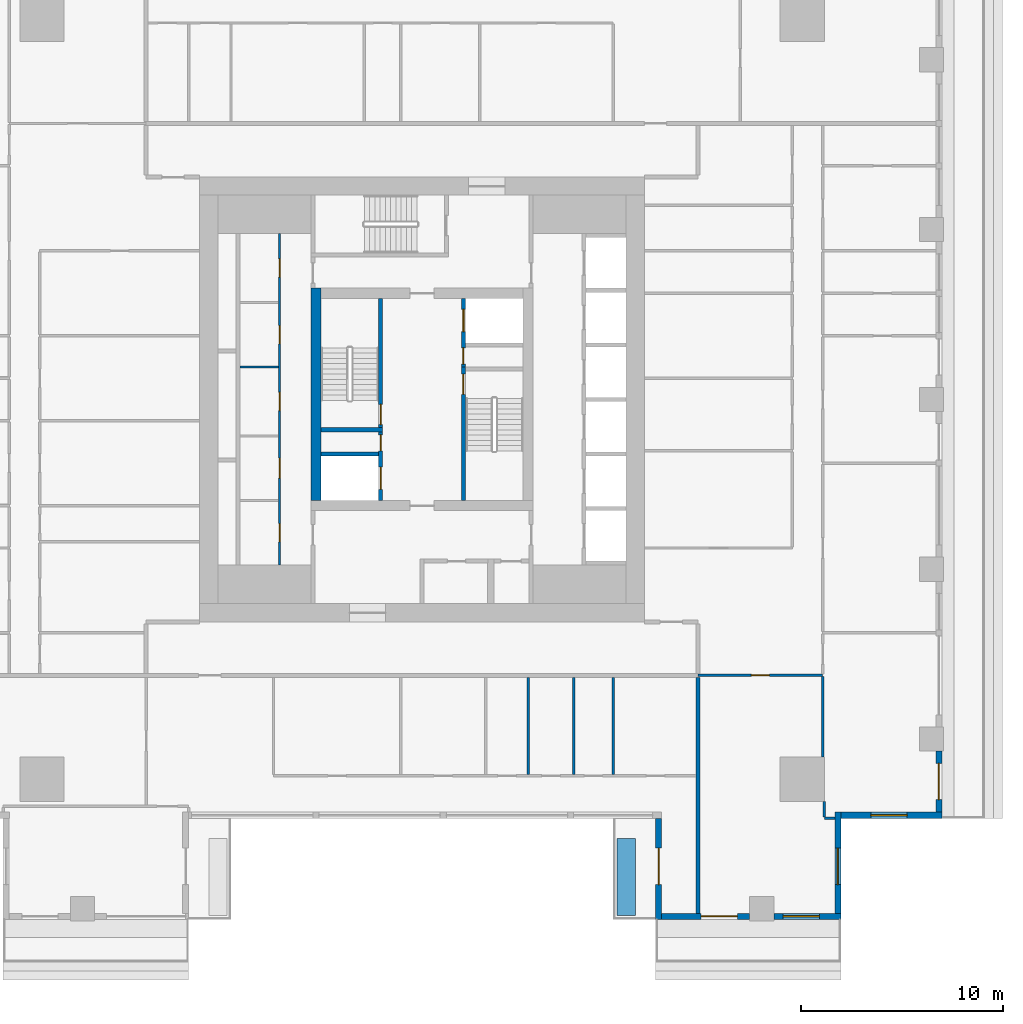
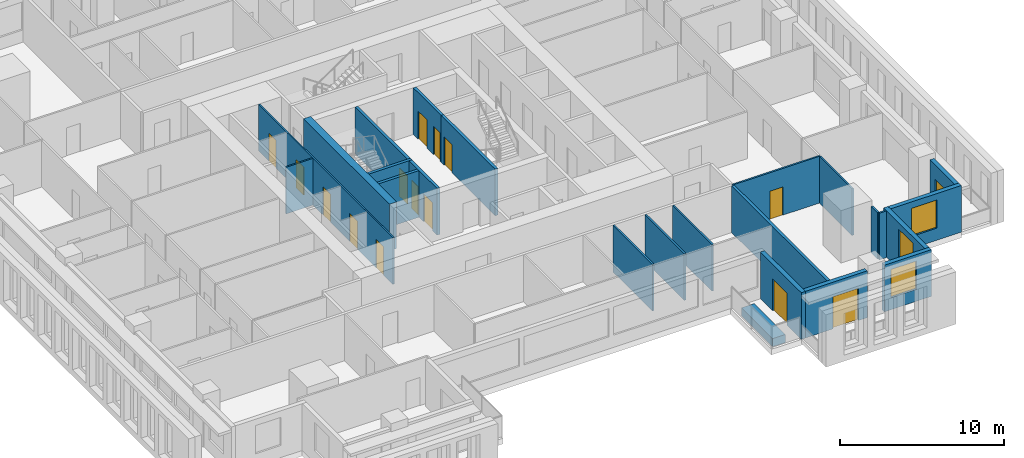
# One storey, part 4 of 14: 24 walls, 15 doors, 3 windows, 18 openings.
"""IFC4 building model written with IfcOpenShell, lengths in metres."""

import ifcopenshell
import ifcopenshell.guid

model = None  # the IFC model being written
_history = None  # IfcOwnerHistory: only IFC2X3 demands one
_inside = {}  # id of a spatial element -> (the spatial element, [elements in it])
_under = {}  # id of a project, library or spatial element -> (it, [spatial elements below it])
_declared = {}  # id of a project -> (the project, [libraries it declares])
_typed = {}  # id of a type object -> (the type object, [elements of that type])
_made_of = {}  # id of a material, layer set ... -> (it, [elements and type objects made of it])


def new_model(schema):
    """Start an empty IFC model of exactly this schema.

    Asked for "IFC4X3", IfcOpenShell would pick the latest addendum, in which some entities
    have other attributes; the version numbers below select the first issue.
    IFC2X3 requires an IfcOwnerHistory on every rooted entity: one is made here for all.
    """
    global model, _history
    if schema == "IFC4X3":
        model = ifcopenshell.file(schema_version=(4, 3, 0, 0))
    else:
        model = ifcopenshell.file(schema=schema)
    _inside.clear()
    _under.clear()
    _declared.clear()
    _typed.clear()
    _made_of.clear()
    _history = None
    if model.schema == "IFC2X3":
        org = make("IfcOrganization", Name="unknown")
        user = make(
            "IfcPersonAndOrganization",
            ThePerson=make("IfcPerson", FamilyName="unknown"),
            TheOrganization=org,
        )
        app = make(
            "IfcApplication",
            ApplicationDeveloper=org,
            Version="unknown",
            ApplicationFullName="unknown",
            ApplicationIdentifier="unknown",
        )
        _history = make(
            "IfcOwnerHistory",
            OwningUser=user,
            OwningApplication=app,
            ChangeAction="ADDED",
            CreationDate=0,
        )
    return model


def make(cls, **values):
    """One entity of the class cls with the attributes given. An attribute that is None is left unset."""
    return model.create_entity(
        cls, **{name: value for name, value in values.items() if value is not None}
    )


def rooted(cls, **values):
    """An entity with a GlobalId (a new one), such as an element, a storey or a relation."""
    return make(cls, GlobalId=ifcopenshell.guid.new(), OwnerHistory=_history, **values)


def si_unit(unit_type, name, prefix=None):
    """IfcSIUnit, for example si_unit("LENGTHUNIT", "METRE", prefix="MILLI")."""
    return make("IfcSIUnit", UnitType=unit_type, Prefix=prefix, Name=name)


def assignment(units):
    """IfcUnitAssignment: the units of a project."""
    return None if units is None else make("IfcUnitAssignment", Units=units)


def point(xyz):
    """IfcCartesianPoint."""
    return None if xyz is None else make("IfcCartesianPoint", Coordinates=xyz)


def direction(xyz):
    """IfcDirection."""
    return None if xyz is None else make("IfcDirection", DirectionRatios=xyz)


def frame(location, z_axis=None, x_axis=None):
    """IfcAxis2Placement3D, a coordinate frame: its origin and axes. An axis left out is left unset."""
    return make(
        "IfcAxis2Placement3D",
        Location=point(location),
        Axis=direction(z_axis),
        RefDirection=direction(x_axis),
    )


def frame_2d(location, x_axis=None):
    """IfcAxis2Placement2D, a coordinate frame in the plane: its origin and x axis."""
    return make(
        "IfcAxis2Placement2D", Location=point(location), RefDirection=direction(x_axis)
    )


def origin():
    """The frame at (0, 0, 0) with its axes left unset."""
    return frame((0.0, 0.0, 0.0))


def place(relative_to, where):
    """IfcLocalPlacement: puts the frame where relative to a parent placement (None: the world)."""
    return make(
        "IfcLocalPlacement", PlacementRelTo=relative_to, RelativePlacement=where
    )


def context(
    kind, dimensions, precision=None, world=None, true_north=None, identifier=None
):
    """IfcGeometricRepresentationContext, for example the 3D "Model" context."""
    return make(
        "IfcGeometricRepresentationContext",
        ContextIdentifier=identifier,
        ContextType=kind,
        CoordinateSpaceDimension=dimensions,
        Precision=precision,
        WorldCoordinateSystem=world,
        TrueNorth=true_north,
    )


def subcontext(parent, identifier, kind, view, scale=None):
    """IfcGeometricRepresentationSubContext, for example "Body" below "Model"."""
    return make(
        "IfcGeometricRepresentationSubContext",
        ContextIdentifier=identifier,
        ContextType=kind,
        ParentContext=parent,
        TargetScale=scale,
        TargetView=view,
    )


def project(units=None, contexts=None):
    """IfcProject with its units and contexts."""
    return rooted(
        "IfcProject",
        Name="project",
        RepresentationContexts=contexts,
        UnitsInContext=assignment(units),
    )


def spatial(cls, under=None, at=None, **own):
    """A site, building, storey or space (cls), placed at a placement, below another one or the project."""
    s = rooted(cls, ObjectPlacement=at, **own)
    if under is not None:
        _under.setdefault(under.id(), (under, []))[1].append(s)
    return s


def profile(cls, at=None, kind="AREA", **sizes):
    """A parametric profile (cls). Its sizes go by their IFC names, for example OverallWidth=200.0."""
    return make(cls, ProfileType=kind, Position=at, **sizes)


def rectangle(**sizes):
    """IfcRectangleProfileDef."""
    return profile("IfcRectangleProfileDef", **sizes)


def extrude(swept, where, along, depth):
    """IfcExtrudedAreaSolid: the profile swept, set in the frame where, extruded along a direction by depth."""
    return make(
        "IfcExtrudedAreaSolid",
        SweptArea=swept,
        Position=where,
        ExtrudedDirection=direction(along),
        Depth=depth,
    )


def shape(context_of_items, identifier, shape_type, items):
    """IfcShapeRepresentation: the items that make up one representation, for example the "Body"."""
    return make(
        "IfcShapeRepresentation",
        ContextOfItems=context_of_items,
        RepresentationIdentifier=identifier,
        RepresentationType=shape_type,
        Items=items,
    )


def material(Name=None, Category=None):
    """IfcMaterial."""
    return make("IfcMaterial", Name=Name, Category=Category)


def layer(
    of_material, thickness, ventilated=None, Name=None, Category=None, Priority=None
):
    """IfcMaterialLayer: one layer of a wall or slab, of a material (None: an air gap)."""
    return make(
        "IfcMaterialLayer",
        Material=of_material,
        LayerThickness=thickness,
        IsVentilated=ventilated,
        Name=Name,
        Category=Category,
        Priority=Priority,
    )


def layer_set(layers, Name=None):
    """IfcMaterialLayerSet."""
    return make("IfcMaterialLayerSet", MaterialLayers=layers, LayerSetName=Name)


def made_of(thing, what):
    """Note that an element or type object is made of a material, layer set ...; save() writes the relation."""
    if what is not None:
        _made_of.setdefault(what.id(), (what, []))[1].append(thing)
    return thing


def type_object(cls, material=None, **own):
    """A type object (cls), such as IfcWallType, which elements share."""
    return made_of(rooted(cls, **own), material)


def element(
    cls,
    number,
    at=None,
    inside=None,
    cuts=None,
    type_object=None,
    material=None,
    context=None,
    identifier="Body",
    shape_type=None,
    held_by="IfcProductDefinitionShape",
    body=None,
    shapes=None,
    **own,
):
    """One element of the class cls, such as IfcWall. Its Tag is "e" and its number.

    at: its placement. inside: the storey or other place that contains it. cuts: it is an
    opening in that element (IfcRelVoidsElement). A single representation is given by context,
    identifier, shape_type and body (its items); several are given by shapes. held_by: the class
    of the entity that holds the representations. save() writes the other relations.
    """
    e = rooted(cls, Tag="e%d" % number, ObjectPlacement=at, **own)
    if body is not None:
        shapes = [shape(context, identifier, shape_type, body)]
    if shapes is not None:
        e.Representation = make(held_by, Representations=shapes)
    if inside is not None:
        _inside.setdefault(inside.id(), (inside, []))[1].append(e)
    if cuts is not None:
        rooted(
            "IfcRelVoidsElement", RelatingBuildingElement=cuts, RelatedOpeningElement=e
        )
    if type_object is not None:
        _typed.setdefault(type_object.id(), (type_object, []))[1].append(e)
    return made_of(e, material)


def fill(opening, filler):
    """IfcRelFillsElement: the door or window that sits in an opening."""
    return rooted(
        "IfcRelFillsElement",
        RelatingOpeningElement=opening,
        RelatedBuildingElement=filler,
    )


def aggregate(whole, parts):
    """IfcRelAggregates: a whole, such as a stair, and the parts it consists of."""
    return rooted("IfcRelAggregates", RelatingObject=whole, RelatedObjects=parts)


def save(model, path):
    """Write the relations noted so far, then the file.

    IfcRelAggregates (storeys below a building ...), IfcRelContainedInSpatialStructure (elements
    in a storey), IfcRelDefinesByType, IfcRelAssociatesMaterial and IfcRelDeclares: one each for
    every whole, place, type object, material and project.
    """
    for whole, parts in _under.values():
        aggregate(whole, parts)
    for where, things in _inside.values():
        rooted(
            "IfcRelContainedInSpatialStructure",
            RelatedElements=things,
            RelatingStructure=where,
        )
    for kind, things in _typed.values():
        rooted("IfcRelDefinesByType", RelatedObjects=things, RelatingType=kind)
    for what, things in _made_of.values():
        rooted("IfcRelAssociatesMaterial", RelatedObjects=things, RelatingMaterial=what)
    for by, libraries in _declared.values():
        rooted("IfcRelDeclares", RelatingContext=by, RelatedDefinitions=libraries)
    model.write(path)


model = new_model("IFC4")

# Units and contexts
model_context = context("Model", 3, precision=1e-05, world=origin(), true_north=direction((0.0, 1.0)))
body_context = subcontext(model_context, "Body", "Model", "MODEL_VIEW")
ifc_project = project(units=[si_unit("LENGTHUNIT", "METRE"), si_unit("AREAUNIT", "SQUARE_METRE"), si_unit("VOLUMEUNIT", "CUBIC_METRE"), si_unit("PLANEANGLEUNIT", "RADIAN"), si_unit("MASSUNIT", "GRAM", prefix="KILO")], contexts=[model_context])

# Site, building, storey
site_placement = place(None, origin())
site = spatial("IfcSite", under=ifc_project, at=site_placement, CompositionType="ELEMENT")
building_placement = place(site_placement, origin())
building = spatial("IfcBuilding", under=site, at=building_placement, Name="Khepri Terraces", CompositionType="ELEMENT")
storey_placement = place(building_placement, frame((0.0, 0.0, 271.800048828125)))
storey = spatial("IfcBuildingStorey", under=building, at=storey_placement, Name="L65", CompositionType="ELEMENT", Elevation=271.800048828125)

# Wall, opening, door
ifc_material_1 = material(Name="Concrete C40/50", Category="concrete")
ifc_layer_1 = layer(ifc_material_1, 0.199951171875, Name="Concrete C40/50", Category="concrete")
ifc_layer_set_1 = layer_set([ifc_layer_1], Name="Concrete C40/50")
wall_type_1 = type_object("IfcWallType", Name="Core wall 200 C40/50", PredefinedType="SHEAR", material=ifc_layer_set_1)
wall_1_placement = place(storey_placement, frame((2.050048828125, -5.0, 0.0), z_axis=(0.0, 0.0, 1.0), x_axis=(0.0, 1.0, 0.0)))
wall_1 = element("IfcWall", 1, at=wall_1_placement, inside=storey, type_object=wall_type_1, Name="Core wall ST01 L65", PredefinedType="SHEAR", context=body_context, shape_type="SweptSolid", body=[
    extrude(rectangle(XDim=6.60009765625, YDim=0.199951171875, at=frame_2d((3.300048828125, 0.0))), origin(), (0.0, 0.0, 1.0), 3.47998046875),
])
opening_1_placement = place(wall_1_placement, frame((5.25, 0.0, 0.0)))
opening_1 = element("IfcOpeningElement", 2, at=opening_1_placement, cuts=wall_1, Name="Opening L65-C10", PredefinedType="OPENING", context=body_context, shape_type="SweptSolid", body=[
    extrude(rectangle(XDim=1.0, YDim=2.10009765625, at=frame_2d((0.5, 1.050048828125))), frame((0.0, 0.10986328125, 0.0), z_axis=(0.0, -1.0, 0.0), x_axis=(1.0, 0.0, 0.0)), (0.0, 0.0, 1.0), 0.219970703125),
])
ifc_material_2 = material(Name="Painted steel", Category="steel")
door_type_1 = type_object("IfcDoorType", Name="DR-CORE-STAIR-1000", OperationType="NOTDEFINED", PredefinedType="DOOR", material=ifc_material_2)
door_1_placement = place(opening_1_placement, frame((1.0, 0.0, 0.0), z_axis=(0.0, 0.0, 1.0), x_axis=(-1.0, 0.0, 0.0)))
door_1 = element("IfcDoor", 3, at=door_1_placement, inside=storey, type_object=door_type_1, Name="Stair door L65-C10", OperationType="SINGLE_SWING_LEFT", OverallHeight=2.10009765625, OverallWidth=1.0, PredefinedType="DOOR", context=body_context, shape_type="SweptSolid", body=[
    extrude(rectangle(XDim=1.0, YDim=2.10009765625, at=frame_2d((0.5, 1.050048828125))), frame((0.0, 0.02490234375, 0.0), z_axis=(0.0, -1.0, 0.0), x_axis=(1.0, 0.0, 0.0)), (0.0, 0.0, 1.0), 0.050048828125),
])
fill(opening_1, door_1)

# Wall
wall_2_placement = place(storey_placement, frame((-5.0, -1.5, 0.0), z_axis=(0.0, 0.0, 1.0), x_axis=(1.0, 0.0, 0.0)))
element("IfcWall", 4, at=wall_2_placement, inside=storey, type_object=wall_type_1, Name="Core wall ST02 L65", PredefinedType="SHEAR", context=body_context, shape_type="SweptSolid", body=[
    extrude(rectangle(XDim=3.050048828125, YDim=0.199951171875, at=frame_2d((1.52490234375, 0.0))), origin(), (0.0, 0.0, 1.0), 3.47998046875),
])

# Wall, opening, door
wall_3_placement = place(storey_placement, frame((-2.050048828125, -1.39990234375, 0.0), z_axis=(0.0, 0.0, 1.0), x_axis=(0.0, 1.0, 0.0)))
wall_3 = element("IfcWall", 5, at=wall_3_placement, inside=storey, type_object=wall_type_1, Name="Core wall ST03 L65", PredefinedType="SHEAR", context=body_context, shape_type="SweptSolid", body=[
    extrude(rectangle(XDim=6.39990234375, YDim=0.199951171875, at=frame_2d((3.199951171875, 0.0))), origin(), (0.0, 0.0, 1.0), 3.47998046875),
])
opening_2_placement = place(wall_3_placement, frame((0.14990234375, 0.0, 0.0)))
opening_2 = element("IfcOpeningElement", 6, at=opening_2_placement, cuts=wall_3, Name="Opening L65-C09", PredefinedType="OPENING", context=body_context, shape_type="SweptSolid", body=[
    extrude(rectangle(XDim=1.0, YDim=2.10009765625, at=frame_2d((0.5, 1.050048828125))), frame((0.0, 0.10986328125, 0.0), z_axis=(0.0, -1.0, 0.0), x_axis=(1.0, 0.0, 0.0)), (0.0, 0.0, 1.0), 0.219970703125),
])
door_2_placement = place(opening_2_placement, origin())
door_2 = element("IfcDoor", 7, at=door_2_placement, inside=storey, type_object=door_type_1, Name="Stair door L65-C09", OperationType="SINGLE_SWING_LEFT", OverallHeight=2.10009765625, OverallWidth=1.0, PredefinedType="DOOR", context=body_context, shape_type="SweptSolid", body=[
    extrude(rectangle(XDim=1.0, YDim=2.10009765625, at=frame_2d((0.5, 1.050048828125))), frame((0.0, 0.02490234375, 0.0), z_axis=(0.0, -1.0, 0.0), x_axis=(1.0, 0.0, 0.0)), (0.0, 0.0, 1.0), 0.050048828125),
])
fill(opening_2, door_2)

# Wall, openings, doors
wall_4_placement = place(storey_placement, frame((-2.050048828125, -5.0, 0.0), z_axis=(0.0, 0.0, 1.0), x_axis=(0.0, 1.0, 0.0)))
wall_4 = element("IfcWall", 8, at=wall_4_placement, inside=storey, type_object=wall_type_1, Name="Core wall SH05 L65", PredefinedType="SHEAR", context=body_context, shape_type="SweptSolid", body=[
    extrude(rectangle(XDim=3.39990234375, YDim=0.199951171875, at=frame_2d((1.699951171875, 0.0))), origin(), (0.0, 0.0, 1.0), 3.47998046875),
])
opening_3_placement = place(wall_4_placement, frame((0.550048828125, 0.0, 0.0)))
opening_3 = element("IfcOpeningElement", 9, at=opening_3_placement, cuts=wall_4, Name="Opening L65-C08", PredefinedType="OPENING", context=body_context, shape_type="SweptSolid", body=[
    extrude(rectangle(XDim=1.10009765625, YDim=2.10009765625, at=frame_2d((0.550048828125, 1.050048828125))), frame((0.0, 0.10986328125, 0.0), z_axis=(0.0, -1.0, 0.0), x_axis=(1.0, 0.0, 0.0)), (0.0, 0.0, 1.0), 0.219970703125),
])
opening_4_placement = place(wall_4_placement, frame((2.449951171875, 0.0, 0.0)))
opening_4 = element("IfcOpeningElement", 10, at=opening_4_placement, cuts=wall_4, Name="Opening L65-C12", PredefinedType="OPENING", context=body_context, shape_type="SweptSolid", body=[
    extrude(rectangle(XDim=0.800048828125, YDim=2.10009765625, at=frame_2d((0.39990234375, 1.050048828125))), frame((0.0, 0.10986328125, 0.0), z_axis=(0.0, -1.0, 0.0), x_axis=(1.0, 0.0, 0.0)), (0.0, 0.0, 1.0), 0.219970703125),
])
ifc_material_3 = material(Name="Stainless steel 304", Category="steel")
door_type_2 = type_object("IfcDoorType", Name="DR-CORE-FF-LANDING-1100", OperationType="NOTDEFINED", PredefinedType="DOOR", material=ifc_material_3)
door_3_placement = place(opening_3_placement, origin())
door_3 = element("IfcDoor", 11, at=door_3_placement, inside=storey, type_object=door_type_2, Name="Firefighting lift landing door L65-C08", OperationType="SLIDING_TO_LEFT", OverallHeight=2.10009765625, OverallWidth=1.10009765625, PredefinedType="DOOR", context=body_context, shape_type="SweptSolid", body=[
    extrude(rectangle(XDim=1.10009765625, YDim=2.10009765625, at=frame_2d((0.550048828125, 1.050048828125))), frame((0.0, 0.02490234375, 0.0), z_axis=(0.0, -1.0, 0.0), x_axis=(1.0, 0.0, 0.0)), (0.0, 0.0, 1.0), 0.050048828125),
])
fill(opening_3, door_3)
door_type_3 = type_object("IfcDoorType", Name="DR-CORE-RISER-800", OperationType="NOTDEFINED", PredefinedType="DOOR", material=ifc_material_2)
door_4_placement = place(opening_4_placement, origin())
door_4 = element("IfcDoor", 12, at=door_4_placement, inside=storey, type_object=door_type_3, Name="Riser door L65-C12", OperationType="SINGLE_SWING_RIGHT", OverallHeight=2.10009765625, OverallWidth=0.800048828125, PredefinedType="DOOR", context=body_context, shape_type="SweptSolid", body=[
    extrude(rectangle(XDim=0.800048828125, YDim=2.10009765625, at=frame_2d((0.39990234375, 1.050048828125))), frame((0.0, 0.02490234375, 0.0), z_axis=(0.0, -1.0, 0.0), x_axis=(1.0, 0.0, 0.0)), (0.0, 0.0, 1.0), 0.050048828125),
])
fill(opening_4, door_4)

# Wall
wall_5_placement = place(storey_placement, frame((-5.0, -2.699951171875, 0.0), z_axis=(0.0, 0.0, 1.0), x_axis=(1.0, 0.0, 0.0)))
element("IfcWall", 13, at=wall_5_placement, inside=storey, type_object=wall_type_1, Name="Core wall SH07 L65", PredefinedType="SHEAR", context=body_context, shape_type="SweptSolid", body=[
    extrude(rectangle(XDim=2.85009765625, YDim=0.199951171875, at=frame_2d((1.425048828125, 0.0))), origin(), (0.0, 0.0, 1.0), 3.47998046875),
])

# Wall, openings, doors
wall_6_placement = place(storey_placement, frame((2.050048828125, 1.60009765625, 0.0), z_axis=(0.0, 0.0, 1.0), x_axis=(0.0, 1.0, 0.0)))
wall_6 = element("IfcWall", 14, at=wall_6_placement, inside=storey, type_object=wall_type_1, Name="Core wall SH10 L65", PredefinedType="SHEAR", context=body_context, shape_type="SweptSolid", body=[
    extrude(rectangle(XDim=3.39990234375, YDim=0.199951171875, at=frame_2d((1.699951171875, 0.0))), origin(), (0.0, 0.0, 1.0), 3.47998046875),
])
opening_5_placement = place(wall_6_placement, frame((1.75, 0.0, 0.0)))
opening_5 = element("IfcOpeningElement", 15, at=opening_5_placement, cuts=wall_6, Name="Opening L65-C07", PredefinedType="OPENING", context=body_context, shape_type="SweptSolid", body=[
    extrude(rectangle(XDim=1.10009765625, YDim=2.10009765625, at=frame_2d((0.550048828125, 1.050048828125))), frame((0.0, 0.10986328125, 0.0), z_axis=(0.0, -1.0, 0.0), x_axis=(1.0, 0.0, 0.0)), (0.0, 0.0, 1.0), 0.219970703125),
])
opening_6_placement = place(wall_6_placement, frame((0.14990234375, 0.0, 0.0)))
opening_6 = element("IfcOpeningElement", 16, at=opening_6_placement, cuts=wall_6, Name="Opening L65-C11", PredefinedType="OPENING", context=body_context, shape_type="SweptSolid", body=[
    extrude(rectangle(XDim=0.800048828125, YDim=2.10009765625, at=frame_2d((0.39990234375, 1.050048828125))), frame((0.0, 0.10986328125, 0.0), z_axis=(0.0, -1.0, 0.0), x_axis=(1.0, 0.0, 0.0)), (0.0, 0.0, 1.0), 0.219970703125),
])
door_5_placement = place(opening_5_placement, origin())
door_5 = element("IfcDoor", 17, at=door_5_placement, inside=storey, type_object=door_type_2, Name="Firefighting lift landing door L65-C07", OperationType="SLIDING_TO_LEFT", OverallHeight=2.10009765625, OverallWidth=1.10009765625, PredefinedType="DOOR", context=body_context, shape_type="SweptSolid", body=[
    extrude(rectangle(XDim=1.10009765625, YDim=2.10009765625, at=frame_2d((0.550048828125, 1.050048828125))), frame((0.0, 0.02490234375, 0.0), z_axis=(0.0, -1.0, 0.0), x_axis=(1.0, 0.0, 0.0)), (0.0, 0.0, 1.0), 0.050048828125),
])
fill(opening_5, door_5)
door_6_placement = place(opening_6_placement, frame((0.800048828125, 0.0, 0.0), z_axis=(0.0, 0.0, 1.0), x_axis=(-1.0, 0.0, 0.0)))
door_6 = element("IfcDoor", 18, at=door_6_placement, inside=storey, type_object=door_type_3, Name="Riser door L65-C11", OperationType="SINGLE_SWING_RIGHT", OverallHeight=2.10009765625, OverallWidth=0.800048828125, PredefinedType="DOOR", context=body_context, shape_type="SweptSolid", body=[
    extrude(rectangle(XDim=0.800048828125, YDim=2.10009765625, at=frame_2d((0.39990234375, 1.050048828125))), frame((0.0, 0.02490234375, 0.0), z_axis=(0.0, -1.0, 0.0), x_axis=(1.0, 0.0, 0.0)), (0.0, 0.0, 1.0), 0.050048828125),
])
fill(opening_6, door_6)

# Wall
ifc_layer_2 = layer(ifc_material_1, 0.5, Name="Concrete C40/50", Category="concrete")
ifc_layer_set_2 = layer_set([ifc_layer_2], Name="Concrete C40/50")
wall_type_2 = type_object("IfcWallType", Name="Core wall 500 C40/50", PredefinedType="SHEAR", material=ifc_layer_set_2)
wall_7_placement = place(storey_placement, frame((-5.25, -5.0, 0.0), z_axis=(0.0, 0.0, 1.0), x_axis=(0.0, 1.0, 0.0)))
element("IfcWall", 19, at=wall_7_placement, inside=storey, type_object=wall_type_2, Name="Core wall BX02 L65", PredefinedType="SHEAR", context=body_context, shape_type="SweptSolid", body=[
    extrude(rectangle(XDim=10.5, YDim=0.5, at=frame_2d((5.25, 0.0))), origin(), (0.0, 0.0, 1.0), 3.47998046875),
])

# Wall, openings, doors
ifc_material_4 = material(Name="Fire-rated gypsum board partition")
ifc_layer_3 = layer(ifc_material_4, 0.10009765625, Name="Fire-rated gypsum board partition")
ifc_layer_set_3 = layer_set([ifc_layer_3], Name="Fire-rated gypsum board partition")
wall_type_3 = type_object("IfcWallType", Name="WL-CORE-PART-100", PredefinedType="PARTITIONING", material=ifc_layer_set_3)
wall_8_placement = place(storey_placement, frame((-7.050048828125, -8.199951171875, 0.0), z_axis=(0.0, 0.0, 1.0), x_axis=(0.0, 1.0, 0.0)))
wall_8 = element("IfcWall", 20, at=wall_8_placement, inside=storey, type_object=wall_type_3, Name="Core partition PT05 L65", PredefinedType="PARTITIONING", context=body_context, shape_type="SweptSolid", body=[
    extrude(rectangle(XDim=16.39990234375, YDim=0.10009765625, at=frame_2d((8.199951171875, 0.0))), origin(), (0.0, 0.0, 1.0), 3.47998046875),
])
opening_7_placement = place(wall_8_placement, frame((1.14990234375, 0.0, 0.0)))
opening_7 = element("IfcOpeningElement", 21, at=opening_7_placement, cuts=wall_8, Name="Opening L65-C24", PredefinedType="OPENING", context=body_context, shape_type="SweptSolid", body=[
    extrude(rectangle(XDim=0.89990234375, YDim=2.10009765625, at=frame_2d((0.449951171875, 1.050048828125))), frame((0.0, 0.06005859375, 0.0), z_axis=(0.0, -1.0, 0.0), x_axis=(1.0, 0.0, 0.0)), (0.0, 0.0, 1.0), 0.1201171875),
])
opening_8_placement = place(wall_8_placement, frame((4.300048828125, 0.0, 0.0)))
opening_8 = element("IfcOpeningElement", 22, at=opening_8_placement, cuts=wall_8, Name="Opening L65-C25", PredefinedType="OPENING", context=body_context, shape_type="SweptSolid", body=[
    extrude(rectangle(XDim=1.0, YDim=2.10009765625, at=frame_2d((0.5, 1.050048828125))), frame((0.0, 0.06005859375, 0.0), z_axis=(0.0, -1.0, 0.0), x_axis=(1.0, 0.0, 0.0)), (0.0, 0.0, 1.0), 0.1201171875),
])
opening_9_placement = place(wall_8_placement, frame((7.64990234375, 0.0, 0.0)))
opening_9 = element("IfcOpeningElement", 23, at=opening_9_placement, cuts=wall_8, Name="Opening L65-C26", PredefinedType="OPENING", context=body_context, shape_type="SweptSolid", body=[
    extrude(rectangle(XDim=0.89990234375, YDim=2.10009765625, at=frame_2d((0.449951171875, 1.050048828125))), frame((0.0, 0.06005859375, 0.0), z_axis=(0.0, -1.0, 0.0), x_axis=(1.0, 0.0, 0.0)), (0.0, 0.0, 1.0), 0.1201171875),
])
opening_10_placement = place(wall_8_placement, frame((10.949951171875, 0.0, 0.0)))
opening_10 = element("IfcOpeningElement", 24, at=opening_10_placement, cuts=wall_8, Name="Opening L65-C27", PredefinedType="OPENING", context=body_context, shape_type="SweptSolid", body=[
    extrude(rectangle(XDim=0.89990234375, YDim=2.10009765625, at=frame_2d((0.449951171875, 1.050048828125))), frame((0.0, 0.06005859375, 0.0), z_axis=(0.0, -1.0, 0.0), x_axis=(1.0, 0.0, 0.0)), (0.0, 0.0, 1.0), 0.1201171875),
])
opening_11_placement = place(wall_8_placement, frame((14.25, 0.0, 0.0)))
opening_11 = element("IfcOpeningElement", 25, at=opening_11_placement, cuts=wall_8, Name="Opening L65-C28", PredefinedType="OPENING", context=body_context, shape_type="SweptSolid", body=[
    extrude(rectangle(XDim=0.89990234375, YDim=2.10009765625, at=frame_2d((0.449951171875, 1.050048828125))), frame((0.0, 0.06005859375, 0.0), z_axis=(0.0, -1.0, 0.0), x_axis=(1.0, 0.0, 0.0)), (0.0, 0.0, 1.0), 0.1201171875),
])
door_type_4 = type_object("IfcDoorType", Name="DR-CORE-SERVICE-900", OperationType="NOTDEFINED", PredefinedType="DOOR", material=ifc_material_2)
door_7_placement = place(opening_7_placement, origin())
door_7 = element("IfcDoor", 26, at=door_7_placement, inside=storey, type_object=door_type_4, Name="Service room door L65-C24", OperationType="SINGLE_SWING_LEFT", OverallHeight=2.10009765625, OverallWidth=0.89990234375, PredefinedType="DOOR", context=body_context, shape_type="SweptSolid", body=[
    extrude(rectangle(XDim=0.89990234375, YDim=2.10009765625, at=frame_2d((0.449951171875, 1.050048828125))), frame((0.0, 0.02490234375, 0.0), z_axis=(0.0, -1.0, 0.0), x_axis=(1.0, 0.0, 0.0)), (0.0, 0.0, 1.0), 0.050048828125),
])
fill(opening_7, door_7)
door_8_placement = place(opening_9_placement, origin())
door_8 = element("IfcDoor", 27, at=door_8_placement, inside=storey, type_object=door_type_4, Name="Service room door L65-C26", OperationType="SINGLE_SWING_LEFT", OverallHeight=2.10009765625, OverallWidth=0.89990234375, PredefinedType="DOOR", context=body_context, shape_type="SweptSolid", body=[
    extrude(rectangle(XDim=0.89990234375, YDim=2.10009765625, at=frame_2d((0.449951171875, 1.050048828125))), frame((0.0, 0.02490234375, 0.0), z_axis=(0.0, -1.0, 0.0), x_axis=(1.0, 0.0, 0.0)), (0.0, 0.0, 1.0), 0.050048828125),
])
fill(opening_9, door_8)
door_9_placement = place(opening_10_placement, origin())
door_9 = element("IfcDoor", 28, at=door_9_placement, inside=storey, type_object=door_type_4, Name="Service room door L65-C27", OperationType="SINGLE_SWING_RIGHT", OverallHeight=2.10009765625, OverallWidth=0.89990234375, PredefinedType="DOOR", context=body_context, shape_type="SweptSolid", body=[
    extrude(rectangle(XDim=0.89990234375, YDim=2.10009765625, at=frame_2d((0.449951171875, 1.050048828125))), frame((0.0, 0.02490234375, 0.0), z_axis=(0.0, -1.0, 0.0), x_axis=(1.0, 0.0, 0.0)), (0.0, 0.0, 1.0), 0.050048828125),
])
fill(opening_10, door_9)
door_10_placement = place(opening_11_placement, origin())
door_10 = element("IfcDoor", 29, at=door_10_placement, inside=storey, type_object=door_type_4, Name="Service room door L65-C28", OperationType="SINGLE_SWING_RIGHT", OverallHeight=2.10009765625, OverallWidth=0.89990234375, PredefinedType="DOOR", context=body_context, shape_type="SweptSolid", body=[
    extrude(rectangle(XDim=0.89990234375, YDim=2.10009765625, at=frame_2d((0.449951171875, 1.050048828125))), frame((0.0, 0.02490234375, 0.0), z_axis=(0.0, -1.0, 0.0), x_axis=(1.0, 0.0, 0.0)), (0.0, 0.0, 1.0), 0.050048828125),
])
fill(opening_11, door_10)
ifc_material_5 = material(Name="Timber veneer", Category="wood")
door_type_5 = type_object("IfcDoorType", Name="DR-CORE-WC-1000", OperationType="NOTDEFINED", PredefinedType="DOOR", material=ifc_material_5)
door_11_placement = place(opening_8_placement, origin())
door_11 = element("IfcDoor", 30, at=door_11_placement, inside=storey, type_object=door_type_5, Name="WC door L65-C25", OperationType="SINGLE_SWING_LEFT", OverallHeight=2.10009765625, OverallWidth=1.0, PredefinedType="DOOR", context=body_context, shape_type="SweptSolid", body=[
    extrude(rectangle(XDim=1.0, YDim=2.10009765625, at=frame_2d((0.5, 1.050048828125))), frame((0.0, 0.02490234375, 0.0), z_axis=(0.0, -1.0, 0.0), x_axis=(1.0, 0.0, 0.0)), (0.0, 0.0, 1.0), 0.050048828125),
])
fill(opening_8, door_11)

# Walls
wall_9_placement = place(storey_placement, frame((-9.0, 1.60009765625, 0.0), z_axis=(0.0, 0.0, 1.0), x_axis=(1.0, 0.0, 0.0)))
element("IfcWall", 31, at=wall_9_placement, inside=storey, type_object=wall_type_3, Name="Core partition PT10 L65", PredefinedType="PARTITIONING", context=body_context, shape_type="SweptSolid", body=[
    extrude(rectangle(XDim=1.89990234375, YDim=0.10009765625, at=frame_2d((0.949951171875, 0.0))), origin(), (0.0, 0.0, 1.0), 3.47998046875),
])
ifc_material_6 = material(Name="Fire-rated gypsum plasterboard partition, mineral wool")
ifc_layer_4 = layer(ifc_material_6, 0.199951171875, Name="Fire-rated gypsum plasterboard partition, mineral wool")
ifc_layer_set_4 = layer_set([ifc_layer_4], Name="Fire-rated gypsum plasterboard partition, mineral wool")
wall_type_4 = type_object("IfcWallType", Name="WL-CORR-200", PredefinedType="PARTITIONING", material=ifc_layer_set_4)
wall_10_placement = place(storey_placement, frame((13.64990234375, -25.419921875, 0.0), z_axis=(0.0, 0.0, 1.0), x_axis=(0.0, 1.0, 0.0)))
element("IfcWall", 32, at=wall_10_placement, inside=storey, type_object=wall_type_4, Name="Partition P-001 L65", PredefinedType="PARTITIONING", context=body_context, shape_type="SweptSolid", body=[
    extrude(rectangle(XDim=11.669921875, YDim=0.199951171875, at=frame_2d((5.8349609375, 0.0))), origin(), (0.0, 0.0, 1.0), 3.47998046875),
])

# Wall, opening, window
ifc_material_7 = material(Name="Precast concrete C50/60 warm stone", Category="masonry")
ifc_layer_5 = layer(ifc_material_7, 0.300048828125, Name="Precast concrete C50/60 warm stone", Category="masonry")
ifc_layer_set_5 = layer_set([ifc_layer_5], Name="Precast concrete C50/60 warm stone")
wall_type_5 = type_object("IfcWallType", Name="WL-EXT-PRECAST-300", PredefinedType="STANDARD", material=ifc_layer_set_5)
wall_11_placement = place(storey_placement, frame((20.719970703125, -20.570068359375, 0.0), z_axis=(0.0, 0.0, 1.0), x_axis=(1.0, 0.0, 0.0)))
wall_11 = element("IfcWall", 33, at=wall_11_placement, inside=storey, type_object=wall_type_5, Name="External wall L65 S", PredefinedType="STANDARD", context=body_context, shape_type="SweptSolid", body=[
    extrude(rectangle(XDim=5.0, YDim=0.300048828125, at=frame_2d((2.5, 0.0))), origin(), (0.0, 0.0, 1.0), 3.47998046875),
])
opening_12_placement = place(wall_11_placement, frame((1.47998046875, 0.0, 0.89990234375)))
opening_12 = element("IfcOpeningElement", 34, at=opening_12_placement, cuts=wall_11, Name="Opening W1", PredefinedType="OPENING", context=body_context, shape_type="SweptSolid", body=[
    extrude(rectangle(XDim=1.800048828125, YDim=2.10009765625, at=frame_2d((0.89990234375, 1.050048828125))), frame((0.0, 0.16015625, 0.0), z_axis=(0.0, -1.0, 0.0), x_axis=(1.0, 0.0, 0.0)), (0.0, 0.0, 1.0), 0.320068359375),
])
ifc_material_8 = material(Name="Clear glass", Category="glass")
window_type = type_object("IfcWindowType", Name="WIN-RES-1800x2100", PartitioningType="SINGLE_PANEL", PredefinedType="WINDOW", material=ifc_material_8)
window_1_placement = place(opening_12_placement, origin())
window_1 = element("IfcWindow", 35, at=window_1_placement, inside=storey, type_object=window_type, Name="Window L65 S", OverallHeight=2.10009765625, OverallWidth=1.800048828125, PartitioningType="SINGLE_PANEL", PredefinedType="WINDOW", context=body_context, shape_type="SweptSolid", body=[
    extrude(rectangle(XDim=1.800048828125, YDim=2.10009765625, at=frame_2d((0.89990234375, 1.050048828125))), frame((0.0, 0.030029296875, 0.0), z_axis=(0.0, -1.0, 0.0), x_axis=(1.0, 0.0, 0.0)), (0.0, 0.0, 1.0), 0.06005859375),
])
fill(opening_12, window_1)

# Wall, opening, door
wall_12_placement = place(storey_placement, frame((25.570068359375, -20.419921875, 0.0), z_axis=(0.0, 0.0, 1.0), x_axis=(0.0, 1.0, 0.0)))
wall_12 = element("IfcWall", 36, at=wall_12_placement, inside=storey, type_object=wall_type_5, Name="External wall L65 E", PredefinedType="STANDARD", context=body_context, shape_type="SweptSolid", body=[
    extrude(rectangle(XDim=3.02001953125, YDim=0.300048828125, at=frame_2d((1.510009765625, 0.0))), origin(), (0.0, 0.0, 1.0), 3.47998046875),
])
opening_13_placement = place(wall_12_placement, frame((0.6201171875, 0.0, 0.0)))
opening_13 = element("IfcOpeningElement", 37, at=opening_13_placement, cuts=wall_12, Name="Opening ED-L65-01", PredefinedType="OPENING", context=body_context, shape_type="SweptSolid", body=[
    extrude(rectangle(XDim=1.800048828125, YDim=2.39990234375, at=frame_2d((0.89990234375, 1.199951171875))), frame((0.0, 0.16015625, 0.0), z_axis=(0.0, -1.0, 0.0), x_axis=(1.0, 0.0, 0.0)), (0.0, 0.0, 1.0), 0.320068359375),
])
ifc_material_9 = material(Name="Anodised aluminium bronze glazed door", Category="aluminium")
door_type_6 = type_object("IfcDoorType", Name="DR-BAL-SLIDE-1800x2400", OperationType="NOTDEFINED", PredefinedType="DOOR", material=ifc_material_9)
door_12_placement = place(opening_13_placement, origin())
door_12 = element("IfcDoor", 38, at=door_12_placement, inside=storey, type_object=door_type_6, Name="Balcony door L65 E", OperationType="SLIDING_TO_RIGHT", OverallHeight=2.39990234375, OverallWidth=1.800048828125, PredefinedType="DOOR", context=body_context, shape_type="SweptSolid", body=[
    extrude(rectangle(XDim=1.800048828125, YDim=2.39990234375, at=frame_2d((0.89990234375, 1.199951171875))), frame((0.0, 0.02490234375, 0.0), z_axis=(0.0, -1.0, 0.0), x_axis=(1.0, 0.0, 0.0)), (0.0, 0.0, 1.0), 0.050048828125),
])
fill(opening_13, door_12)

wall_13_placement = place(storey_placement, frame((11.699951171875, -20.719970703125, 0.0), z_axis=(0.0, 0.0, 1.0), x_axis=(0.0, -1.0, 0.0)))
wall_13 = element("IfcWall", 39, at=wall_13_placement, inside=storey, type_object=wall_type_5, Name="External wall L65 W", PredefinedType="STANDARD", context=body_context, shape_type="SweptSolid", body=[
    extrude(rectangle(XDim=5.0, YDim=0.300048828125, at=frame_2d((2.5, 0.0))), origin(), (0.0, 0.0, 1.0), 3.47998046875),
])
opening_14_placement = place(wall_13_placement, frame((1.47998046875, 0.0, 0.0)))
opening_14 = element("IfcOpeningElement", 40, at=opening_14_placement, cuts=wall_13, Name="Opening ED-L65-18", PredefinedType="OPENING", context=body_context, shape_type="SweptSolid", body=[
    extrude(rectangle(XDim=1.800048828125, YDim=2.39990234375, at=frame_2d((0.89990234375, 1.199951171875))), frame((0.0, 0.16015625, 0.0), z_axis=(0.0, -1.0, 0.0), x_axis=(1.0, 0.0, 0.0)), (0.0, 0.0, 1.0), 0.320068359375),
])
door_13_placement = place(opening_14_placement, origin())
door_13 = element("IfcDoor", 41, at=door_13_placement, inside=storey, type_object=door_type_6, Name="Balcony door L65 W", OperationType="SLIDING_TO_RIGHT", OverallHeight=2.39990234375, OverallWidth=1.800048828125, PredefinedType="DOOR", context=body_context, shape_type="SweptSolid", body=[
    extrude(rectangle(XDim=1.800048828125, YDim=2.39990234375, at=frame_2d((0.89990234375, 1.199951171875))), frame((0.0, 0.02490234375, 0.0), z_axis=(0.0, -1.0, 0.0), x_axis=(1.0, 0.0, 0.0)), (0.0, 0.0, 1.0), 0.050048828125),
])
fill(opening_14, door_13)

wall_14_placement = place(storey_placement, frame((11.85009765625, -25.570068359375, 0.0), z_axis=(0.0, 0.0, 1.0), x_axis=(1.0, 0.0, 0.0)))
wall_14 = element("IfcWall", 42, at=wall_14_placement, inside=storey, type_object=wall_type_5, Name="External wall L65 S", PredefinedType="STANDARD", context=body_context, shape_type="SweptSolid", body=[
    extrude(rectangle(XDim=4.349853515625, YDim=0.300048828125, at=frame_2d((2.1748046875, 0.0))), origin(), (0.0, 0.0, 1.0), 3.47998046875),
])
opening_15_placement = place(wall_14_placement, frame((1.949951171875, 0.0, 0.0)))
opening_15 = element("IfcOpeningElement", 43, at=opening_15_placement, cuts=wall_14, Name="Opening ED-L65-19", PredefinedType="OPENING", context=body_context, shape_type="SweptSolid", body=[
    extrude(rectangle(XDim=1.800048828125, YDim=2.39990234375, at=frame_2d((0.89990234375, 1.199951171875))), frame((0.0, 0.16015625, 0.0), z_axis=(0.0, -1.0, 0.0), x_axis=(1.0, 0.0, 0.0)), (0.0, 0.0, 1.0), 0.320068359375),
])
door_14_placement = place(opening_15_placement, origin())
door_14 = element("IfcDoor", 44, at=door_14_placement, inside=storey, type_object=door_type_6, Name="Balcony door L65 S", OperationType="SLIDING_TO_RIGHT", OverallHeight=2.39990234375, OverallWidth=1.800048828125, PredefinedType="DOOR", context=body_context, shape_type="SweptSolid", body=[
    extrude(rectangle(XDim=1.800048828125, YDim=2.39990234375, at=frame_2d((0.89990234375, 1.199951171875))), frame((0.0, 0.02490234375, 0.0), z_axis=(0.0, -1.0, 0.0), x_axis=(1.0, 0.0, 0.0)), (0.0, 0.0, 1.0), 0.050048828125),
])
fill(opening_15, door_14)

# Wall, opening, window
wall_15_placement = place(storey_placement, frame((17.39990234375, -25.570068359375, 0.0), z_axis=(0.0, 0.0, 1.0), x_axis=(1.0, 0.0, 0.0)))
wall_15 = element("IfcWall", 45, at=wall_15_placement, inside=storey, type_object=wall_type_5, Name="External wall L65 S", PredefinedType="STANDARD", context=body_context, shape_type="SweptSolid", body=[
    extrude(rectangle(XDim=3.320068359375, YDim=0.300048828125, at=frame_2d((1.66015625, 0.0))), origin(), (0.0, 0.0, 1.0), 3.47998046875),
])
opening_16_placement = place(wall_15_placement, frame((0.45947265625, 0.0, 0.89990234375)))
opening_16 = element("IfcOpeningElement", 46, at=opening_16_placement, cuts=wall_15, Name="Opening W1", PredefinedType="OPENING", context=body_context, shape_type="SweptSolid", body=[
    extrude(rectangle(XDim=1.800048828125, YDim=2.10009765625, at=frame_2d((0.89990234375, 1.050048828125))), frame((0.0, 0.16015625, 0.0), z_axis=(0.0, -1.0, 0.0), x_axis=(1.0, 0.0, 0.0)), (0.0, 0.0, 1.0), 0.320068359375),
])
window_2_placement = place(opening_16_placement, origin())
window_2 = element("IfcWindow", 47, at=window_2_placement, inside=storey, type_object=window_type, Name="Window L65 S", OverallHeight=2.10009765625, OverallWidth=1.800048828125, PartitioningType="SINGLE_PANEL", PredefinedType="WINDOW", context=body_context, shape_type="SweptSolid", body=[
    extrude(rectangle(XDim=1.800048828125, YDim=2.10009765625, at=frame_2d((0.89990234375, 1.050048828125))), frame((0.0, 0.030029296875, 0.0), z_axis=(0.0, -1.0, 0.0), x_axis=(1.0, 0.0, 0.0)), (0.0, 0.0, 1.0), 0.06005859375),
])
fill(opening_16, window_2)

wall_16_placement = place(storey_placement, frame((20.570068359375, -25.419921875, 0.0), z_axis=(0.0, 0.0, 1.0), x_axis=(0.0, 1.0, 0.0)))
wall_16 = element("IfcWall", 48, at=wall_16_placement, inside=storey, type_object=wall_type_5, Name="External wall L65 E", PredefinedType="STANDARD", context=body_context, shape_type="SweptSolid", body=[
    extrude(rectangle(XDim=5.0, YDim=0.300048828125, at=frame_2d((2.5, 0.0))), origin(), (0.0, 0.0, 1.0), 3.47998046875),
])
opening_17_placement = place(wall_16_placement, frame((1.419921875, 0.0, 0.89990234375)))
opening_17 = element("IfcOpeningElement", 49, at=opening_17_placement, cuts=wall_16, Name="Opening W1", PredefinedType="OPENING", context=body_context, shape_type="SweptSolid", body=[
    extrude(rectangle(XDim=1.800048828125, YDim=2.10009765625, at=frame_2d((0.89990234375, 1.050048828125))), frame((0.0, 0.16015625, 0.0), z_axis=(0.0, -1.0, 0.0), x_axis=(1.0, 0.0, 0.0)), (0.0, 0.0, 1.0), 0.320068359375),
])
window_3_placement = place(opening_17_placement, origin())
window_3 = element("IfcWindow", 50, at=window_3_placement, inside=storey, type_object=window_type, Name="Window L65 E", OverallHeight=2.10009765625, OverallWidth=1.800048828125, PartitioningType="SINGLE_PANEL", PredefinedType="WINDOW", context=body_context, shape_type="SweptSolid", body=[
    extrude(rectangle(XDim=1.800048828125, YDim=2.10009765625, at=frame_2d((0.89990234375, 1.050048828125))), frame((0.0, 0.030029296875, 0.0), z_axis=(0.0, -1.0, 0.0), x_axis=(1.0, 0.0, 0.0)), (0.0, 0.0, 1.0), 0.06005859375),
])
fill(opening_17, window_3)

# Walls
ifc_material_10 = material(Name="Gypsum plasterboard partition")
ifc_layer_6 = layer(ifc_material_10, 0.1201171875, Name="Gypsum plasterboard partition")
ifc_layer_set_6 = layer_set([ifc_layer_6], Name="Gypsum plasterboard partition")
wall_type_6 = type_object("IfcWallType", Name="WL-PART-120", PredefinedType="PARTITIONING", material=ifc_layer_set_6)
wall_17_placement = place(storey_placement, frame((19.90087890625, -20.718994140625, 0.0), z_axis=(0.0, 0.0, 1.0), x_axis=(1.0, 0.0, 0.0)))
element("IfcWall", 51, at=wall_17_placement, inside=storey, type_object=wall_type_6, Name="Partition P-004 L65", PredefinedType="PARTITIONING", context=body_context, shape_type="SweptSolid", body=[
    extrude(rectangle(XDim=0.52001953125, YDim=0.1201171875, at=frame_2d((0.260009765625, 0.0))), origin(), (0.0, 0.0, 1.0), 3.47998046875),
])
wall_18_placement = place(storey_placement, frame((19.90087890625, -20.658935546875, 0.0), z_axis=(0.0, 0.0, 1.0), x_axis=(0.0, 1.0, 0.0)))
element("IfcWall", 52, at=wall_18_placement, inside=storey, type_object=wall_type_6, Name="Partition P-005 L65", PredefinedType="PARTITIONING", context=body_context, shape_type="SweptSolid", body=[
    extrude(rectangle(XDim=0.759033203125, YDim=0.1201171875, at=frame_2d((0.37939453125, 0.0))), origin(), (0.0, 0.0, 1.0), 3.47998046875),
])
for number, where, z_axis, x_axis, name in (
    (53, (5.25, -18.56005859375, 0.0), (0.0, 0.0, 1.0), (0.0, 1.0, 0.0), "Partition P-012 L65"),
    (54, (7.5, -18.56005859375, 0.0), (0.0, 0.0, 1.0), (0.0, 1.0, 0.0), "Partition P-013 L65"),
    (55, (9.449951171875, -18.56005859375, 0.0), (0.0, 0.0, 1.0), (0.0, 1.0, 0.0), "Partition P-014 L65"),
):
    element("IfcWall", number, at=place(storey_placement, frame(where, z_axis=z_axis, x_axis=x_axis)), inside=storey, type_object=wall_type_6, Name=name, PredefinedType="PARTITIONING", context=body_context, shape_type="SweptSolid", body=[
        extrude(rectangle(XDim=4.81005859375, YDim=0.1201171875, at=frame_2d((2.405029296875, 0.0))), origin(), (0.0, 0.0, 1.0), 3.47998046875),
    ])
wall_19_placement = place(storey_placement, frame((19.820068359375, -17.699951171875, 0.0), z_axis=(0.0, 0.0, 1.0), x_axis=(0.0, 1.0, 0.0)))
element("IfcWall", 56, at=wall_19_placement, inside=storey, type_object=wall_type_6, Name="Partition P-015 L65", PredefinedType="PARTITIONING", context=body_context, shape_type="SweptSolid", body=[
    extrude(rectangle(XDim=3.989990234375, YDim=0.1201171875, at=frame_2d((1.9951171875, 0.0))), origin(), (0.0, 0.0, 1.0), 3.47998046875),
])

# Wall, opening, door
wall_20_placement = place(storey_placement, frame((13.64990234375, -13.64990234375, 0.0), z_axis=(0.0, 0.0, 1.0), x_axis=(1.0, 0.0, 0.0)))
wall_20 = element("IfcWall", 57, at=wall_20_placement, inside=storey, type_object=wall_type_6, Name="Partition P-017 L65", PredefinedType="PARTITIONING", context=body_context, shape_type="SweptSolid", body=[
    extrude(rectangle(XDim=6.170166015625, YDim=0.1201171875, at=frame_2d((3.0849609375, 0.0))), origin(), (0.0, 0.0, 1.0), 3.47998046875),
])
opening_18_placement = place(wall_20_placement, frame((2.635009765625, 0.0, 0.0)))
opening_18 = element("IfcOpeningElement", 58, at=opening_18_placement, cuts=wall_20, Name="Opening D3", PredefinedType="OPENING", context=body_context, shape_type="SweptSolid", body=[
    extrude(rectangle(XDim=0.89990234375, YDim=2.10009765625, at=frame_2d((0.449951171875, 1.050048828125))), frame((0.0, 0.070068359375, 0.0), z_axis=(0.0, -1.0, 0.0), x_axis=(1.0, 0.0, 0.0)), (0.0, 0.0, 1.0), 0.14013671875),
])
ifc_material_11 = material(Name="Timber door leaf", Category="wood")
door_type_7 = type_object("IfcDoorType", Name="DR-INT-900", OperationType="NOTDEFINED", PredefinedType="DOOR", material=ifc_material_11)
door_15_placement = place(opening_18_placement, frame((0.89990234375, 0.0, 0.0), z_axis=(0.0, 0.0, 1.0), x_axis=(-1.0, 0.0, 0.0)))
door_15 = element("IfcDoor", 59, at=door_15_placement, inside=storey, type_object=door_type_7, Name="Door Library", OperationType="SINGLE_SWING_RIGHT", OverallHeight=2.10009765625, OverallWidth=0.89990234375, PredefinedType="DOOR", context=body_context, shape_type="SweptSolid", body=[
    extrude(rectangle(XDim=0.89990234375, YDim=2.10009765625, at=frame_2d((0.449951171875, 1.050048828125))), frame((0.0, 0.02490234375, 0.0), z_axis=(0.0, -1.0, 0.0), x_axis=(1.0, 0.0, 0.0)), (0.0, 0.0, 1.0), 0.050048828125),
])
fill(opening_18, door_15)

# Wall
ifc_layer_7 = layer(ifc_material_7, 0.89990234375, Name="Precast concrete C50/60 warm stone", Category="masonry")
ifc_layer_set_7 = layer_set([ifc_layer_7], Name="Precast concrete C50/60 warm stone")
wall_type_7 = type_object("IfcWallType", Name="WL-PLANTER-900", PredefinedType="MOVABLE", material=ifc_layer_set_7)
wall_21_placement = place(storey_placement, frame((10.10009765625, -25.52001953125, 0.0), z_axis=(0.0, 0.0, 1.0), x_axis=(0.0, 1.0, 0.0)))
element("IfcWall", 60, at=wall_21_placement, inside=storey, type_object=wall_type_7, Name="Planter L65", PredefinedType="MOVABLE", context=body_context, shape_type="SweptSolid", body=[
    extrude(rectangle(XDim=3.800048828125, YDim=0.89990234375, at=frame_2d((1.89990234375, 0.0))), origin(), (0.0, 0.0, 1.0), 0.599853515625),
])

save(model, "model.ifc")
